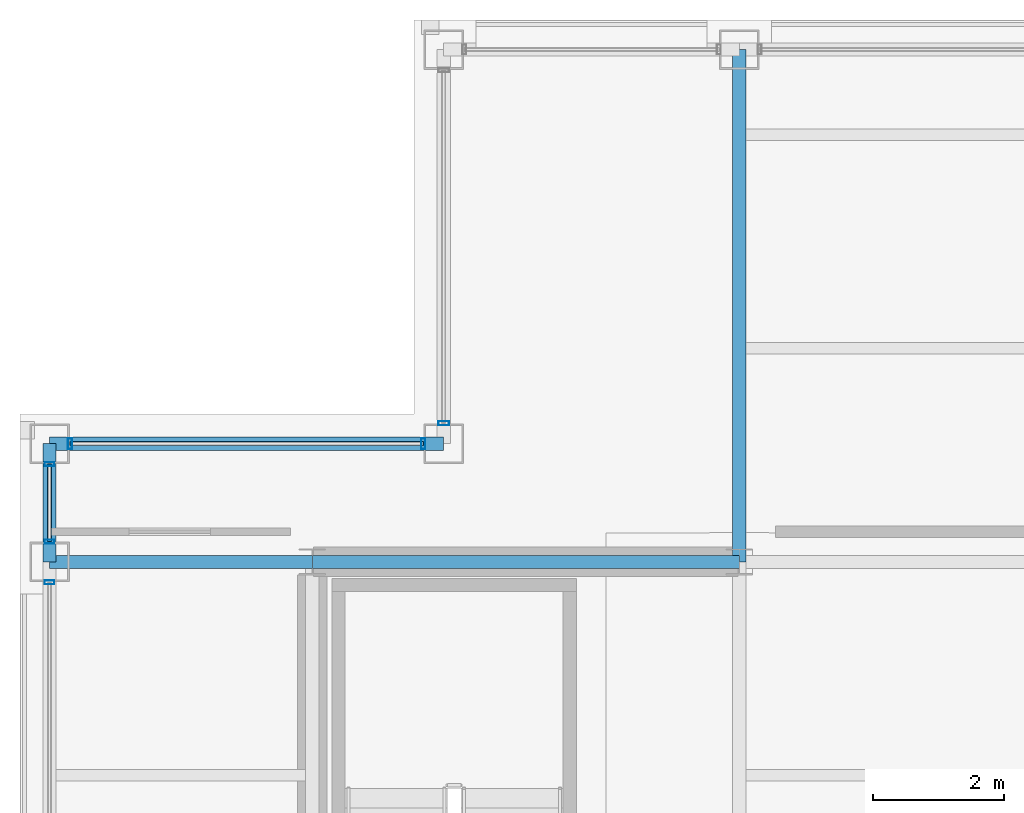
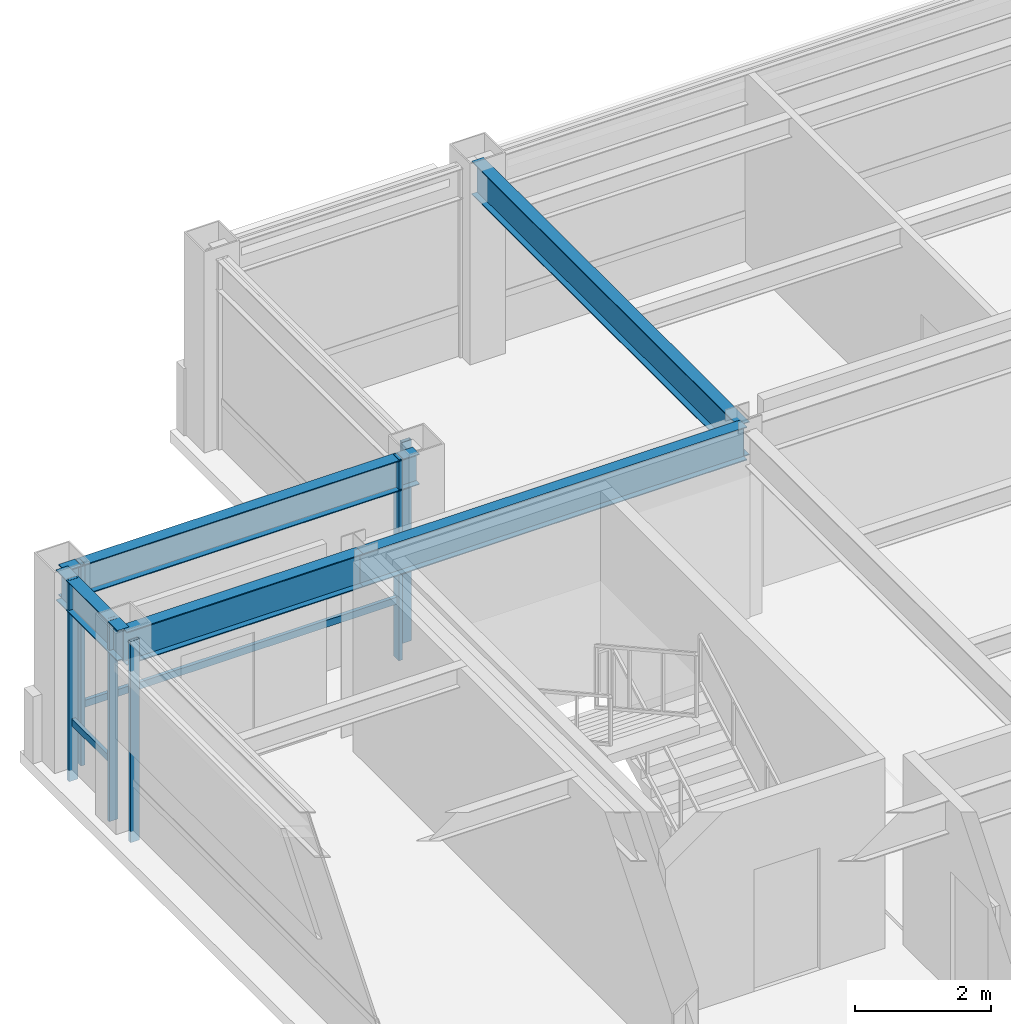
# One storey, part 8 of 22: 8 members, 5 beams, 4 elements without a shape of their own.
"""IFC4 building model written with IfcOpenShell, lengths in metres."""

from ifc_helpers import new_model, si_unit, direction, frame, origin, origin_2d, place, context, subcontext, project, spatial, hollow_rectangle, i_section, extrude, material, layer, layer_set, material_profile, profile_set, type_object, element, aggregate, save


model = new_model("IFC4")

# Units and contexts
model_context = context("Model", 3, precision=1e-05, world=origin(), true_north=direction((0.0, 1.0)))
body_context = subcontext(model_context, "Body", "Model", "MODEL_VIEW")
ifc_project = project(units=[si_unit("LENGTHUNIT", "METRE"), si_unit("AREAUNIT", "SQUARE_METRE"), si_unit("VOLUMEUNIT", "CUBIC_METRE"), si_unit("PLANEANGLEUNIT", "RADIAN"), si_unit("MASSUNIT", "GRAM", prefix="KILO")], contexts=[model_context])

# Site, building, storey
site_placement = place(None, origin())
site = spatial("IfcSite", under=ifc_project, at=site_placement, CompositionType="ELEMENT")
building_placement = place(site_placement, origin())
building = spatial("IfcBuilding", under=site, at=building_placement, Name="Brelmoor Portico Tower", CompositionType="ELEMENT")
storey_placement = place(building_placement, frame((0.0, 0.0, 280.800048828125)))
storey = spatial("IfcBuildingStorey", under=building, at=storey_placement, Name="L74", CompositionType="ELEMENT", Elevation=280.800048828125)

# Beams
ifc_material_1 = material(Name="Steel Q355B", Category="steel")
ifc_material_profile_1 = material_profile(ifc_material_1, i_section(OverallWidth=0.199951171875, OverallDepth=0.60009765625, WebThickness=0.010986328125, FlangeThickness=0.01708984375, at=origin_2d()), Name="HN 600x200x11x17")
ifc_profile_set_1 = profile_set([ifc_material_profile_1], Name="Steel Q355B")
beam_type_1 = type_object("IfcBeamType", Name="BM-PG-600", PredefinedType="BEAM", material=ifc_profile_set_1)
beam_1_placement = place(storey_placement, frame((-8.050048828125, 9.75, 3.099853515625), z_axis=(0.0, 1.0, 0.0), x_axis=(-1.0, 0.0, 0.0)))
element("IfcBeam", 1, at=beam_1_placement, inside=storey, type_object=beam_type_1, Name="L74 Primary Floor Girder PG-05", PredefinedType="BEAM", context=body_context, shape_type="SweptSolid", body=[
    extrude(i_section(OverallWidth=0.199951171875, OverallDepth=0.60009765625, WebThickness=0.010986328125, FlangeThickness=0.01708984375, at=origin_2d()), origin(), (0.0, 0.0, 1.0), 7.800048828125),
])
beam_2_placement = place(storey_placement, frame((-18.550048828125, 9.75, 3.099853515625), z_axis=(1.0, 0.0, 0.0), x_axis=(0.0, 1.0, 0.0)))
element("IfcBeam", 2, at=beam_2_placement, inside=storey, type_object=beam_type_1, Name="L74 Primary Floor Girder PG-19", PredefinedType="BEAM", context=body_context, shape_type="SweptSolid", body=[
    extrude(i_section(OverallWidth=0.199951171875, OverallDepth=0.60009765625, WebThickness=0.010986328125, FlangeThickness=0.01708984375, at=origin_2d()), origin(), (0.0, 0.0, 1.0), 4.0),
])
beam_3_placement = place(storey_placement, frame((-14.550048828125, 9.75, 3.099853515625), z_axis=(1.0, 0.0, 0.0), x_axis=(0.0, 1.0, 0.0)))
element("IfcBeam", 3, at=beam_3_placement, inside=storey, type_object=beam_type_1, Name="L74 Primary Floor Girder PG-20", PredefinedType="BEAM", context=body_context, shape_type="SweptSolid", body=[
    extrude(i_section(OverallWidth=0.199951171875, OverallDepth=0.60009765625, WebThickness=0.010986328125, FlangeThickness=0.01708984375, at=origin_2d()), origin(), (0.0, 0.0, 1.0), 6.5),
])
ifc_material_profile_2 = material_profile(ifc_material_1, i_section(OverallWidth=0.199951171875, OverallDepth=0.550048828125, WebThickness=0.010009765625, FlangeThickness=0.01611328125, at=origin_2d()), Name="HN 550x200x10x16")
ifc_profile_set_2 = profile_set([ifc_material_profile_2], Name="Steel Q355B")
beam_type_2 = type_object("IfcBeamType", Name="BM-SP-550", PredefinedType="SPANDREL", material=ifc_profile_set_2)
beam_4_placement = place(storey_placement, frame((-18.550048828125, 11.550048828125, 3.125), z_axis=(1.0, 0.0, 0.0), x_axis=(0.0, 1.0, 0.0)))
element("IfcBeam", 4, at=beam_4_placement, inside=storey, type_object=beam_type_2, Name="L74 Perimeter Spandrel Beam SP-06", PredefinedType="SPANDREL", context=body_context, shape_type="SweptSolid", body=[
    extrude(i_section(OverallWidth=0.199951171875, OverallDepth=0.550048828125, WebThickness=0.010009765625, FlangeThickness=0.01611328125, at=origin_2d()), origin(), (0.0, 0.0, 1.0), 6.0),
])
beam_5_placement = place(storey_placement, frame((-18.550048828125, 9.75, 3.125), z_axis=(0.0, 1.0, 0.0), x_axis=(-1.0, 0.0, 0.0)))
element("IfcBeam", 5, at=beam_5_placement, inside=storey, type_object=beam_type_2, Name="L74 Perimeter Spandrel Beam SP-13", PredefinedType="SPANDREL", context=body_context, shape_type="SweptSolid", body=[
    extrude(i_section(OverallWidth=0.199951171875, OverallDepth=0.550048828125, WebThickness=0.010009765625, FlangeThickness=0.01611328125, at=origin_2d()), origin(), (0.0, 0.0, 1.0), 1.800048828125),
])

# Curtain wall, member
ifc_material_2 = material(Name="Anodised Aluminium Alloy 6063-T6", Category="aluminium")
ifc_layer_1 = layer(ifc_material_2, 0.179931640625)
ifc_layer_set_1 = layer_set([ifc_layer_1], Name="Anodised Aluminium Alloy 6063-T6")
curtain_wall_type_1 = type_object("IfcCurtainWallType", Name="CW-TOWER-Z4", PredefinedType="NOTDEFINED", material=ifc_layer_set_1)
curtain_wall_1_placement = place(storey_placement, origin())
curtain_wall_1 = element("IfcCurtainWall", 6, at=curtain_wall_1_placement, inside=storey, type_object=curtain_wall_type_1, Name="L74 Curtain Wall CW-L74-03-2", PredefinedType="NOTDEFINED")
ifc_material_profile_3 = material_profile(ifc_material_2, hollow_rectangle(XDim=0.06005859375, YDim=0.14990234375, WallThickness=0.00390625, at=origin_2d()), Name="ALU MULLION 60x150")
ifc_profile_set_3 = profile_set([ifc_material_profile_3], Name="Anodised Aluminium Alloy 6063-T6")
member_type_1 = type_object("IfcMemberType", Name="MB-CW-MULL-150", PredefinedType="MULLION", material=ifc_profile_set_3)
member_1_placement = place(storey_placement, frame((-18.550048828125, 9.43994140625, -0.199951171875), z_axis=(0.0, 0.0, 1.0), x_axis=(0.0, 1.0, 0.0)))
member_1 = element("IfcMember", 7, at=member_1_placement, type_object=member_type_1, Name="CW-L74-03-2 Mullion 02", PredefinedType="MULLION", context=body_context, shape_type="SweptSolid", body=[
    extrude(hollow_rectangle(XDim=0.06005859375, YDim=0.14990234375, WallThickness=0.00390625, at=origin_2d()), origin(), (0.0, 0.0, 1.0), 3.599853515625),
])
aggregate(curtain_wall_1, [member_1])

# Curtain wall, members
curtain_wall_2_placement = place(storey_placement, origin())
curtain_wall_2 = element("IfcCurtainWall", 8, at=curtain_wall_2_placement, inside=storey, type_object=curtain_wall_type_1, Name="L74 Curtain Wall CW-L74-03-3", PredefinedType="NOTDEFINED")
member_2_placement = place(storey_placement, frame((-18.550048828125, 10.06005859375, -0.199951171875), z_axis=(0.0, 0.0, 1.0), x_axis=(0.0, 1.0, 0.0)))
member_2 = element("IfcMember", 9, at=member_2_placement, type_object=member_type_1, Name="CW-L74-03-3 Mullion 00", PredefinedType="MULLION", context=body_context, shape_type="SweptSolid", body=[
    extrude(hollow_rectangle(XDim=0.06005859375, YDim=0.14990234375, WallThickness=0.00390625, at=origin_2d()), origin(), (0.0, 0.0, 1.0), 3.599853515625),
])
member_3_placement = place(storey_placement, frame((-18.550048828125, 11.239990234375, -0.199951171875), z_axis=(0.0, 0.0, 1.0), x_axis=(0.0, 1.0, 0.0)))
member_3 = element("IfcMember", 10, at=member_3_placement, type_object=member_type_1, Name="CW-L74-03-3 Mullion 01", PredefinedType="MULLION", context=body_context, shape_type="SweptSolid", body=[
    extrude(hollow_rectangle(XDim=0.06005859375, YDim=0.14990234375, WallThickness=0.00390625, at=origin_2d()), origin(), (0.0, 0.0, 1.0), 3.599853515625),
])

ifc_layer_2 = layer(ifc_material_2, 0.179931640625)
ifc_layer_set_2 = layer_set([ifc_layer_2], Name="Anodised Aluminium Alloy 6063-T6")
curtain_wall_type_2 = type_object("IfcCurtainWallType", Name="CW-NOTCH-CHAMFER", PredefinedType="NOTDEFINED", material=ifc_layer_set_2)
curtain_wall_3_placement = place(storey_placement, origin())
curtain_wall_3 = element("IfcCurtainWall", 11, at=curtain_wall_3_placement, inside=storey, type_object=curtain_wall_type_2, Name="L74 Curtain Wall CWN-L74-NWH", PredefinedType="NOTDEFINED")
ifc_material_profile_4 = material_profile(ifc_material_2, hollow_rectangle(XDim=0.06494140625, YDim=0.1650390625, WallThickness=0.00390625, at=origin_2d()), Name="ALU MULLION 65x165")
ifc_profile_set_4 = profile_set([ifc_material_profile_4], Name="Anodised Aluminium Alloy 6063-T6")
member_type_2 = type_object("IfcMemberType", Name="MB-CW-MULL-165", PredefinedType="MULLION", material=ifc_profile_set_4)
member_4_placement = place(storey_placement, frame((-18.239990234375, 11.550048828125, -0.199951171875), z_axis=(0.0, 0.0, 1.0), x_axis=(1.0, 0.0, 0.0)))
member_4 = element("IfcMember", 12, at=member_4_placement, type_object=member_type_2, Name="CWN-L74-NWH Mullion 00", PredefinedType="MULLION", context=body_context, shape_type="SweptSolid", body=[
    extrude(hollow_rectangle(XDim=0.06494140625, YDim=0.1650390625, WallThickness=0.00390625, at=origin_2d()), origin(), (0.0, 0.0, 1.0), 3.599853515625),
])
member_5_placement = place(storey_placement, frame((-12.860107421875, 11.550048828125, -0.199951171875), z_axis=(0.0, 0.0, 1.0), x_axis=(1.0, 0.0, 0.0)))
member_5 = element("IfcMember", 13, at=member_5_placement, type_object=member_type_2, Name="CWN-L74-NWH Mullion 01", PredefinedType="MULLION", context=body_context, shape_type="SweptSolid", body=[
    extrude(hollow_rectangle(XDim=0.06494140625, YDim=0.1650390625, WallThickness=0.00390625, at=origin_2d()), origin(), (0.0, 0.0, 1.0), 3.599853515625),
])

# Curtain wall, member
curtain_wall_4_placement = place(storey_placement, origin())
curtain_wall_4 = element("IfcCurtainWall", 14, at=curtain_wall_4_placement, inside=storey, type_object=curtain_wall_type_2, Name="L74 Curtain Wall CWN-L74-NWV", PredefinedType="NOTDEFINED")
member_6_placement = place(storey_placement, frame((-12.550048828125, 11.860107421875, -0.199951171875), z_axis=(0.0, 0.0, 1.0), x_axis=(0.0, 1.0, 0.0)))
member_6 = element("IfcMember", 15, at=member_6_placement, type_object=member_type_2, Name="CWN-L74-NWV Mullion 00", PredefinedType="MULLION", context=body_context, shape_type="SweptSolid", body=[
    extrude(hollow_rectangle(XDim=0.06494140625, YDim=0.1650390625, WallThickness=0.00390625, at=origin_2d()), origin(), (0.0, 0.0, 1.0), 3.599853515625),
])
aggregate(curtain_wall_4, [member_6])

# Member
ifc_material_profile_5 = material_profile(ifc_material_2, hollow_rectangle(XDim=0.06005859375, YDim=0.125, WallThickness=0.00341796875, at=origin_2d()), Name="ALU TRANSOM 60x125")
ifc_profile_set_5 = profile_set([ifc_material_profile_5], Name="Anodised Aluminium Alloy 6063-T6")
member_type_3 = type_object("IfcMemberType", Name="MB-CW-TRAN-125", PredefinedType="USERDEFINED", material=ifc_profile_set_5)
member_7_placement = place(storey_placement, frame((-18.550048828125, 10.06005859375, 0.849853515625), z_axis=(0.0, 1.0, 0.0), x_axis=(-1.0, 0.0, 0.0)))
member_7 = element("IfcMember", 16, at=member_7_placement, type_object=member_type_3, Name="CW-L74-03-3 Transom 1-00", ObjectType="TRANSOM", PredefinedType="USERDEFINED", context=body_context, shape_type="SweptSolid", body=[
    extrude(hollow_rectangle(XDim=0.06005859375, YDim=0.125, WallThickness=0.00341796875, at=origin_2d()), origin(), (0.0, 0.0, 1.0), 1.179931640625),
])

aggregate(curtain_wall_2, [member_2, member_3, member_7])

member_8_placement = place(storey_placement, frame((-18.239990234375, 11.550048828125, 0.849853515625), z_axis=(1.0, 0.0, 0.0), x_axis=(0.0, 1.0, 0.0)))
member_8 = element("IfcMember", 17, at=member_8_placement, type_object=member_type_3, Name="CWN-L74-NWH Transom 1-00", ObjectType="TRANSOM", PredefinedType="USERDEFINED", context=body_context, shape_type="SweptSolid", body=[
    extrude(hollow_rectangle(XDim=0.06005859375, YDim=0.125, WallThickness=0.00341796875, at=origin_2d()), origin(), (0.0, 0.0, 1.0), 5.3798828125),
])

aggregate(curtain_wall_3, [member_4, member_5, member_8])

save(model, "model.ifc")
